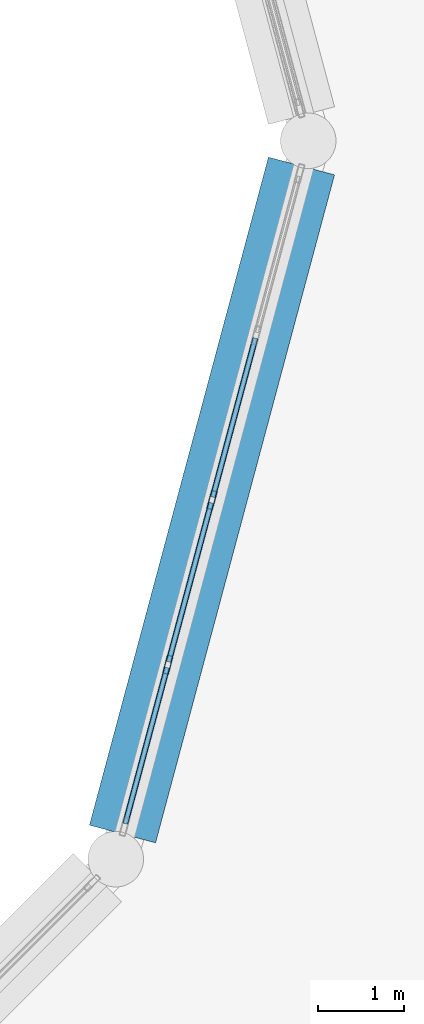
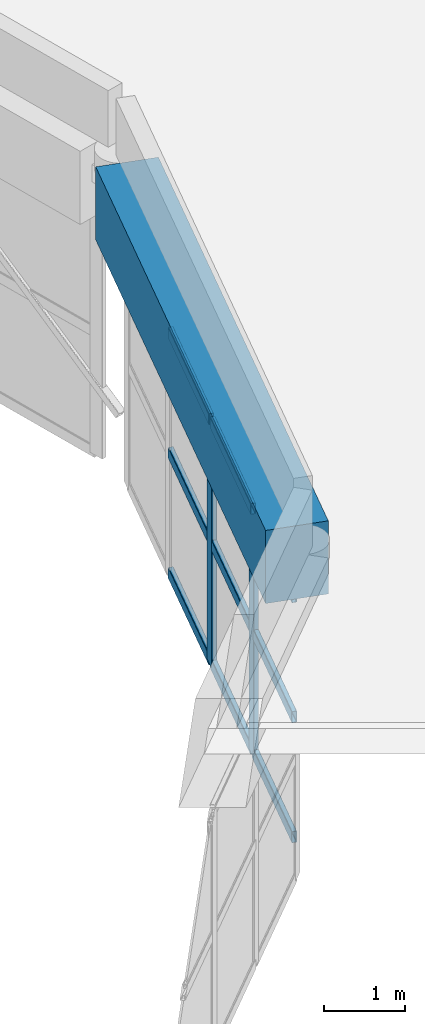
# One storey, part 20 of 48: 11 members, 1 beam, 1 element without a shape of its own.
"""IFC4 building model written with IfcOpenShell, lengths in metres."""

from ifc_helpers import new_model, si_unit, derived_unit, direction, frame, origin, origin_2d, place, context, subcontext, project, spatial, rectangle, hollow_rectangle, extrude, material, material_profile, profile_set, type_object, element, aggregate, save


model = new_model("IFC4")

# Units and contexts
model_context = context("Model", 3, precision=1e-05, world=origin(), true_north=direction((0.0, 1.0)))
body_context = subcontext(model_context, "Body", "Model", "MODEL_VIEW")
ifc_project = project(units=[si_unit("LENGTHUNIT", "METRE"), si_unit("AREAUNIT", "SQUARE_METRE"), si_unit("VOLUMEUNIT", "CUBIC_METRE"), si_unit("PLANEANGLEUNIT", "RADIAN"), si_unit("MASSUNIT", "GRAM", prefix="KILO"), derived_unit("THERMALTRANSMITTANCEUNIT", [(si_unit("POWERUNIT", "WATT"), 1), (si_unit("LENGTHUNIT", "METRE"), -2), (si_unit("THERMODYNAMICTEMPERATUREUNIT", "KELVIN"), -1)])], contexts=[model_context])

# Site, building, storey
site_placement = place(None, origin())
site = spatial("IfcSite", under=ifc_project, at=site_placement, CompositionType="ELEMENT")
building_placement = place(site_placement, origin())
building = spatial("IfcBuilding", under=site, at=building_placement, Name="Veybourne Emporium", CompositionType="ELEMENT")
storey_placement = place(building_placement, frame((0.0, 0.0, 27.89990234375)))
storey = spatial("IfcBuildingStorey", under=building, at=storey_placement, Name="L06", CompositionType="ELEMENT", Elevation=27.89990234375)

# Curtain wall, members
ifc_material_1 = material(Name="Patinated Architectural Bronze", Category="bronze")
curtain_wall_type = type_object("IfcCurtainWallType", Name="CWSystem_CWS-24", PredefinedType="NOTDEFINED", material=ifc_material_1)
curtain_wall_placement = place(storey_placement, origin())
curtain_wall = element("IfcCurtainWall", 1, at=curtain_wall_placement, inside=storey, type_object=curtain_wall_type, Name="Atrium drum clerestory curtain wall 12", PredefinedType="NOTDEFINED")
ifc_material_profile_1 = material_profile(ifc_material_1, hollow_rectangle(XDim=0.070068359375, YDim=0.219970703125, WallThickness=0.0048828125, InnerFilletRadius=0.007568359375, OuterFilletRadius=0.012451171875, at=origin_2d()), Name="CWM 70x220x5")
ifc_profile_set_1 = profile_set([ifc_material_profile_1], Name="Patinated Architectural Bronze")
member_type_1 = type_object("IfcMemberType", Name="CWMullion_CW-M4", PredefinedType="MULLION", material=ifc_profile_set_1)
member_1_placement = place(storey_placement, frame((90.758544921875, 44.27392578125, -4.5), z_axis=(0.0, 0.0, 1.0), x_axis=(-0.965925678069, 0.258819598266, 0.0)))
member_1 = element("IfcMember", 2, at=member_1_placement, type_object=member_type_1, Name="CWS-24 mullion 2", PredefinedType="MULLION", context=body_context, shape_type="SweptSolid", body=[
    extrude(hollow_rectangle(XDim=0.070068359375, YDim=0.219970703125, WallThickness=0.0048828125, InnerFilletRadius=0.007568359375, OuterFilletRadius=0.012451171875, at=origin_2d()), origin(), (0.0, 0.0, 1.0), 3.68017578125),
])
member_2_placement = place(storey_placement, frame((91.274658203125, 46.199951171875, -4.5), z_axis=(0.0, 0.0, 1.0), x_axis=(-0.965925678069, 0.258819598266, 0.0)))
member_2 = element("IfcMember", 3, at=member_2_placement, type_object=member_type_1, Name="CWS-24 mullion 3", PredefinedType="MULLION", context=body_context, shape_type="SweptSolid", body=[
    extrude(hollow_rectangle(XDim=0.070068359375, YDim=0.219970703125, WallThickness=0.0048828125, InnerFilletRadius=0.007568359375, OuterFilletRadius=0.012451171875, at=origin_2d()), origin(), (0.0, 0.0, 1.0), 3.68017578125),
])
ifc_material_profile_2 = material_profile(ifc_material_1, hollow_rectangle(XDim=0.070068359375, YDim=0.169921875, WallThickness=0.0048828125, InnerFilletRadius=0.007568359375, OuterFilletRadius=0.012451171875, at=origin_2d()), Name="CWT 70x170x5")
ifc_profile_set_2 = profile_set([ifc_material_profile_2], Name="Patinated Architectural Bronze")
member_type_2 = type_object("IfcMemberType", Name="CWTransom_CW-T4", PredefinedType="NOTDEFINED", material=ifc_profile_set_2)
member_3_placement = place(storey_placement, frame((90.260498046875, 42.415283203125, -4.46484375), z_axis=(0.258860974636, 0.965914590329, 0.0), x_axis=(-0.965914590329, 0.258860974636, 0.0)))
member_3 = element("IfcMember", 4, at=member_3_placement, type_object=member_type_2, Name="CWS-24 transom 1.1", ObjectType="TRANSOM", PredefinedType="USERDEFINED", context=body_context, shape_type="SweptSolid", body=[
    extrude(hollow_rectangle(XDim=0.070068359375, YDim=0.169921875, WallThickness=0.0048828125, InnerFilletRadius=0.007568359375, OuterFilletRadius=0.012451171875, at=origin_2d()), origin(), (0.0, 0.0, 1.0), 1.88916015625),
])
member_4_placement = place(storey_placement, frame((90.260498046875, 42.415283203125, -2.659912109375), z_axis=(0.258860974636, 0.965914590329, 0.0), x_axis=(-0.965914590329, 0.258860974636, 0.0)))
member_4 = element("IfcMember", 5, at=member_4_placement, type_object=member_type_2, Name="CWS-24 transom 1.2", ObjectType="TRANSOM", PredefinedType="USERDEFINED", context=body_context, shape_type="SweptSolid", body=[
    extrude(hollow_rectangle(XDim=0.070068359375, YDim=0.169921875, WallThickness=0.0048828125, InnerFilletRadius=0.007568359375, OuterFilletRadius=0.012451171875, at=origin_2d()), origin(), (0.0, 0.0, 1.0), 1.88916015625),
])
member_5_placement = place(storey_placement, frame((90.260498046875, 42.415283203125, -0.85498046875), z_axis=(0.258860974636, 0.965914590329, 0.0), x_axis=(-0.965914590329, 0.258860974636, 0.0)))
member_5 = element("IfcMember", 6, at=member_5_placement, type_object=member_type_2, Name="CWS-24 transom 1.3", ObjectType="TRANSOM", PredefinedType="USERDEFINED", context=body_context, shape_type="SweptSolid", body=[
    extrude(hollow_rectangle(XDim=0.070068359375, YDim=0.169921875, WallThickness=0.0048828125, InnerFilletRadius=0.007568359375, OuterFilletRadius=0.012451171875, at=origin_2d()), origin(), (0.0, 0.0, 1.0), 1.88916015625),
])
member_6_placement = place(storey_placement, frame((90.767578125, 44.3076171875, -4.46484375), z_axis=(0.258831214191, 0.965922565509, 0.0), x_axis=(-0.965922565509, 0.258831214191, 0.0)))
member_6 = element("IfcMember", 7, at=member_6_placement, type_object=member_type_2, Name="CWS-24 transom 2.1", ObjectType="TRANSOM", PredefinedType="USERDEFINED", context=body_context, shape_type="SweptSolid", body=[
    extrude(hollow_rectangle(XDim=0.070068359375, YDim=0.169921875, WallThickness=0.0048828125, InnerFilletRadius=0.007568359375, OuterFilletRadius=0.012451171875, at=origin_2d()), origin(), (0.0, 0.0, 1.0), 1.92431640625),
])
member_7_placement = place(storey_placement, frame((90.767578125, 44.3076171875, -2.659912109375), z_axis=(0.258831214191, 0.965922565509, 0.0), x_axis=(-0.965922565509, 0.258831214191, 0.0)))
member_7 = element("IfcMember", 8, at=member_7_placement, type_object=member_type_2, Name="CWS-24 transom 2.2", ObjectType="TRANSOM", PredefinedType="USERDEFINED", context=body_context, shape_type="SweptSolid", body=[
    extrude(hollow_rectangle(XDim=0.070068359375, YDim=0.169921875, WallThickness=0.0048828125, InnerFilletRadius=0.007568359375, OuterFilletRadius=0.012451171875, at=origin_2d()), origin(), (0.0, 0.0, 1.0), 1.92431640625),
])
member_8_placement = place(storey_placement, frame((90.767578125, 44.3076171875, -0.85498046875), z_axis=(0.258831214191, 0.965922565509, 0.0), x_axis=(-0.965922565509, 0.258831214191, 0.0)))
member_8 = element("IfcMember", 9, at=member_8_placement, type_object=member_type_2, Name="CWS-24 transom 2.3", ObjectType="TRANSOM", PredefinedType="USERDEFINED", context=body_context, shape_type="SweptSolid", body=[
    extrude(hollow_rectangle(XDim=0.070068359375, YDim=0.169921875, WallThickness=0.0048828125, InnerFilletRadius=0.007568359375, OuterFilletRadius=0.012451171875, at=origin_2d()), origin(), (0.0, 0.0, 1.0), 1.92431640625),
])
member_9_placement = place(storey_placement, frame((91.28369140625, 46.23388671875, -4.46484375), z_axis=(0.258862938836, 0.96591406393, 0.0), x_axis=(-0.96591406393, 0.258862938836, 0.0)))
member_9 = element("IfcMember", 10, at=member_9_placement, type_object=member_type_2, Name="CWS-24 transom 3.1", ObjectType="TRANSOM", PredefinedType="USERDEFINED", context=body_context, shape_type="SweptSolid", body=[
    extrude(hollow_rectangle(XDim=0.070068359375, YDim=0.169921875, WallThickness=0.0048828125, InnerFilletRadius=0.007568359375, OuterFilletRadius=0.012451171875, at=origin_2d()), origin(), (0.0, 0.0, 1.0), 1.924072265625),
])
member_10_placement = place(storey_placement, frame((91.28369140625, 46.23388671875, -2.659912109375), z_axis=(0.258862938836, 0.96591406393, 0.0), x_axis=(-0.96591406393, 0.258862938836, 0.0)))
member_10 = element("IfcMember", 11, at=member_10_placement, type_object=member_type_2, Name="CWS-24 transom 3.2", ObjectType="TRANSOM", PredefinedType="USERDEFINED", context=body_context, shape_type="SweptSolid", body=[
    extrude(hollow_rectangle(XDim=0.070068359375, YDim=0.169921875, WallThickness=0.0048828125, InnerFilletRadius=0.007568359375, OuterFilletRadius=0.012451171875, at=origin_2d()), origin(), (0.0, 0.0, 1.0), 1.924072265625),
])
member_11_placement = place(storey_placement, frame((91.28369140625, 46.23388671875, -0.85498046875), z_axis=(0.258862938836, 0.96591406393, 0.0), x_axis=(-0.96591406393, 0.258862938836, 0.0)))
member_11 = element("IfcMember", 12, at=member_11_placement, type_object=member_type_2, Name="CWS-24 transom 3.3", ObjectType="TRANSOM", PredefinedType="USERDEFINED", context=body_context, shape_type="SweptSolid", body=[
    extrude(hollow_rectangle(XDim=0.070068359375, YDim=0.169921875, WallThickness=0.0048828125, InnerFilletRadius=0.007568359375, OuterFilletRadius=0.012451171875, at=origin_2d()), origin(), (0.0, 0.0, 1.0), 1.924072265625),
])
aggregate(curtain_wall, [member_1, member_2, member_3, member_4, member_5, member_6, member_7, member_8, member_9, member_10, member_11])

# Beam
ifc_material_2 = material(Name="Concrete C40/50", Category="concrete")
ifc_material_profile_3 = material_profile(ifc_material_2, rectangle(XDim=0.800048828125, YDim=1.10009765625, at=origin_2d()), Name="RC 800x1100")
ifc_profile_set_3 = profile_set([ifc_material_profile_3], Name="Concrete C40/50")
beam_type = type_object("IfcBeamType", Name="RCBeam_RB-01", PredefinedType="BEAM", material=ifc_profile_set_3)
beam_placement = place(storey_placement, frame((90.228271484375, 42.294677734375, -0.25), z_axis=(0.258805002235, 0.965929588955, 0.0), x_axis=(-0.965929588955, 0.258805002235, 0.0)))
element("IfcBeam", 13, at=beam_placement, inside=storey, type_object=beam_type, Name="Atrium ring beam RB-01 L06-12", PredefinedType="BEAM", context=body_context, shape_type="SweptSolid", body=[
    extrude(rectangle(XDim=0.800048828125, YDim=1.10009765625, at=origin_2d()), origin(), (0.0, 0.0, 1.0), 8.086181640625),
])

save(model, "model.ifc")
